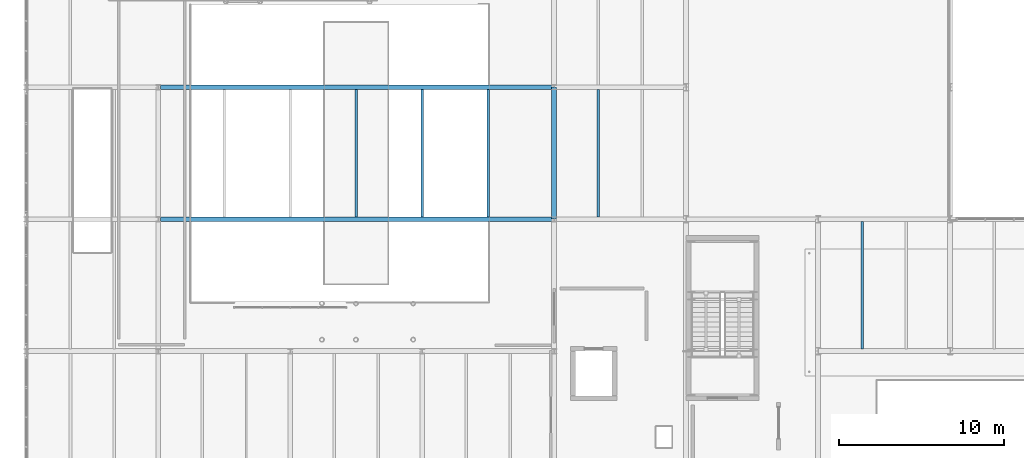
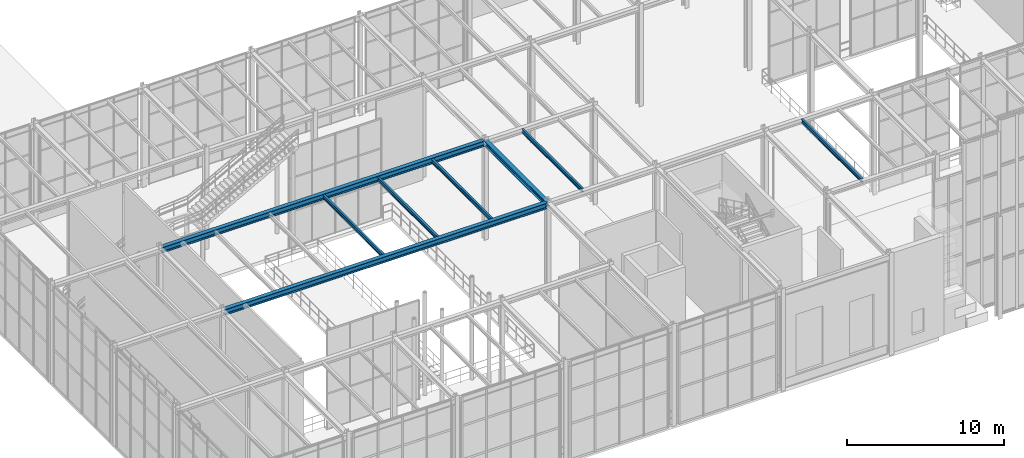
# One storey, part 45 of 138: 8 beams.
"""IFC4 building model written with IfcOpenShell, lengths in metres."""

from ifc_helpers import new_model, si_unit, direction, frame, origin, origin_2d, place, context, subcontext, project, spatial, i_section, extrude, material, material_profile, profile_set, type_object, element, save


model = new_model("IFC4")

# Units and contexts
model_context = context("Model", 3, precision=1e-05, world=origin(), true_north=direction((0.0, 1.0)))
body_context = subcontext(model_context, "Body", "Model", "MODEL_VIEW")
ifc_project = project(units=[si_unit("LENGTHUNIT", "METRE"), si_unit("AREAUNIT", "SQUARE_METRE"), si_unit("VOLUMEUNIT", "CUBIC_METRE"), si_unit("PLANEANGLEUNIT", "RADIAN"), si_unit("MASSUNIT", "GRAM", prefix="KILO")], contexts=[model_context])

# Site, building, storey
site_placement = place(None, origin())
site = spatial("IfcSite", under=ifc_project, at=site_placement, CompositionType="ELEMENT")
building_placement = place(site_placement, origin())
building = spatial("IfcBuilding", under=site, at=building_placement, Name="Sundkrona Museum", CompositionType="ELEMENT")
storey_placement = place(building_placement, frame((0.0, 0.0, 9.60009765625)))
storey = spatial("IfcBuildingStorey", under=building, at=storey_placement, Name="L02", CompositionType="ELEMENT", Elevation=9.60009765625)

# Beams
ifc_material = material(Name="Steel S355J2", Category="steel")
ifc_material_profile_1 = material_profile(ifc_material, i_section(OverallWidth=0.300048828125, OverallDepth=0.389892578125, WebThickness=0.010986328125, FlangeThickness=0.01904296875, FilletRadius=0.027099609375, at=origin_2d()), Name="HEA 400")
ifc_profile_set_1 = profile_set([ifc_material_profile_1], Name="Steel S355J2")
beam_type_1 = type_object("IfcBeamType", Name="B-HEA400", PredefinedType="BEAM", material=ifc_profile_set_1)
beam_placement = place(storey_placement, frame((112.0, 16.0, 7.544921875), z_axis=(0.0, 1.0, 0.0), x_axis=(-1.0, 0.0, 0.0)))
element("IfcBeam", 1, at=beam_placement, inside=storey, type_object=beam_type_1, Name="L02 Girder Y-1326", PredefinedType="BEAM", context=body_context, shape_type="SweptSolid", body=[
    extrude(i_section(OverallWidth=0.300048828125, OverallDepth=0.389892578125, WebThickness=0.010986328125, FlangeThickness=0.01904296875, FilletRadius=0.027099609375, at=origin_2d()), origin(), (0.0, 0.0, 1.0), 8.0),
])
ifc_material_profile_2 = material_profile(ifc_material, i_section(OverallWidth=0.300048828125, OverallDepth=0.449951171875, WebThickness=0.013916015625, FlangeThickness=0.02587890625, FilletRadius=0.027099609375, at=origin_2d()), Name="HEB 450")
ifc_profile_set_2 = profile_set([ifc_material_profile_2], Name="Steel S355J2")
beam_type_2 = type_object("IfcBeamType", Name="B-HEB450", PredefinedType="BEAM", material=ifc_profile_set_2)
for number, where, z_axis, x_axis, name in (
    (2, (88.139892578125, 16.0, 7.534912109375), (1.0, 0.0, 0.0), (0.0, 1.0, 0.0), "Atrium Level 03 Bridge Main Girder Y=16"),
    (3, (88.139892578125, 24.0, 7.534912109375), (1.0, 0.0, 0.0), (0.0, 1.0, 0.0), "Atrium Level 03 Bridge Main Girder Y=24"),
):
    element("IfcBeam", number, at=place(storey_placement, frame(where, z_axis=z_axis, x_axis=x_axis)), inside=storey, type_object=beam_type_2, Name=name, PredefinedType="BEAM", context=body_context, shape_type="SweptSolid", body=[
        extrude(i_section(OverallWidth=0.300048828125, OverallDepth=0.449951171875, WebThickness=0.013916015625, FlangeThickness=0.02587890625, FilletRadius=0.027099609375, at=origin_2d()), origin(), (0.0, 0.0, 1.0), 23.72021484375),
    ])
ifc_material_profile_3 = material_profile(ifc_material, i_section(OverallWidth=0.14990234375, OverallDepth=0.300048828125, WebThickness=0.007080078125, FlangeThickness=0.0107421875, FilletRadius=0.014892578125, at=origin_2d()), Name="IPE 300")
ifc_profile_set_3 = profile_set([ifc_material_profile_3], Name="Steel S355J2")
beam_type_3 = type_object("IfcBeamType", Name="J-IPE300", PredefinedType="JOIST", material=ifc_profile_set_3)
for number, where, z_axis, x_axis, name in (
    (4, (114.666748046875, 16.14404296875, 7.58984375), (0.0, 1.0, 0.0), (-1.0, 0.0, 0.0), "L02 Composite Joist 0857"),
    (5, (130.666748046875, 8.14404296875, 7.60986328125), (0.0, 1.0, 0.0), (-1.0, 0.0, 0.0), "L02 Composite Joist 0867"),
):
    element("IfcBeam", number, at=place(storey_placement, frame(where, z_axis=z_axis, x_axis=x_axis)), inside=storey, type_object=beam_type_3, Name=name, PredefinedType="JOIST", context=body_context, shape_type="SweptSolid", body=[
        extrude(i_section(OverallWidth=0.14990234375, OverallDepth=0.300048828125, WebThickness=0.007080078125, FlangeThickness=0.0107421875, FilletRadius=0.014892578125, at=origin_2d()), origin(), (0.0, 0.0, 1.0), 7.7119140625),
    ])
for number, where, z_axis, x_axis, name in (
    (6, (100.0, 16.139892578125, 7.5849609375), (0.0, 1.0, 0.0), (-1.0, 0.0, 0.0), "Atrium Level 03 Bridge Cross Beam X=100"),
    (7, (104.0, 16.139892578125, 7.5849609375), (0.0, 1.0, 0.0), (-1.0, 0.0, 0.0), "Atrium Level 03 Bridge Cross Beam X=104"),
    (8, (108.0, 16.139892578125, 7.5849609375), (0.0, 1.0, 0.0), (-1.0, 0.0, 0.0), "Atrium Level 03 Bridge Cross Beam X=108"),
):
    element("IfcBeam", number, at=place(storey_placement, frame(where, z_axis=z_axis, x_axis=x_axis)), inside=storey, type_object=beam_type_3, Name=name, PredefinedType="JOIST", context=body_context, shape_type="SweptSolid", body=[
        extrude(i_section(OverallWidth=0.14990234375, OverallDepth=0.300048828125, WebThickness=0.007080078125, FlangeThickness=0.0107421875, FilletRadius=0.014892578125, at=origin_2d()), origin(), (0.0, 0.0, 1.0), 7.72021484375),
    ])

save(model, "model.ifc")
